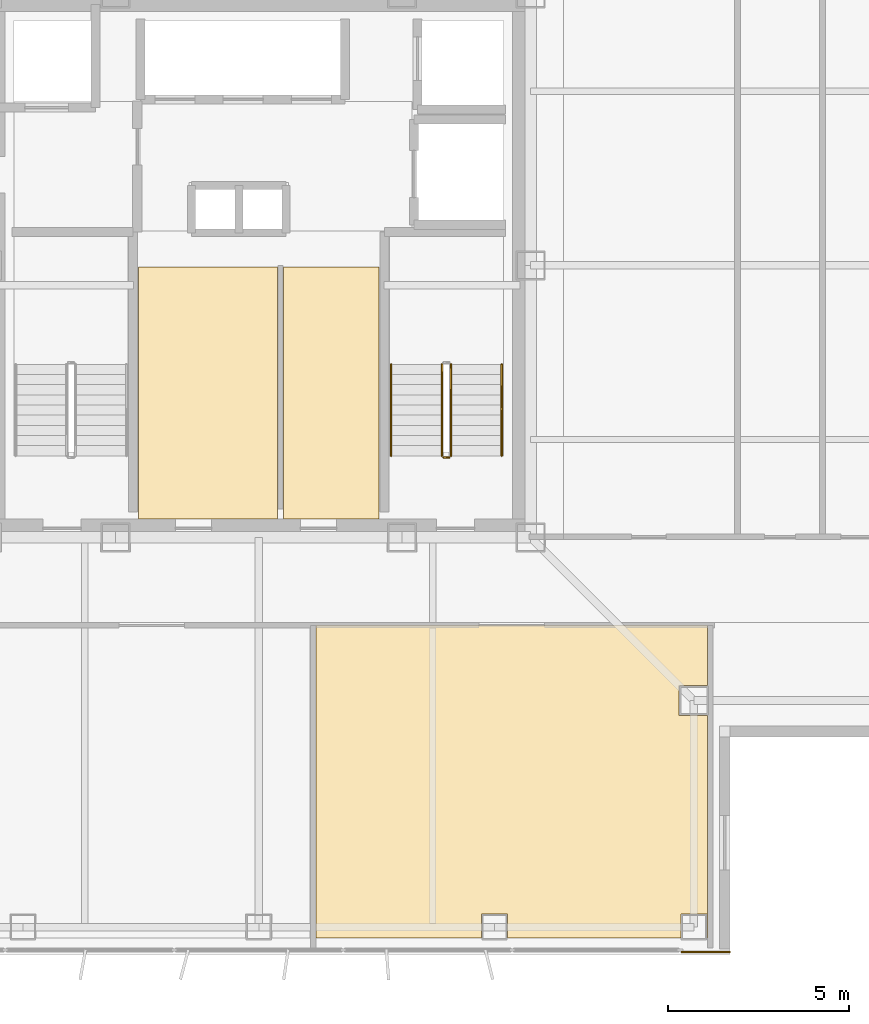
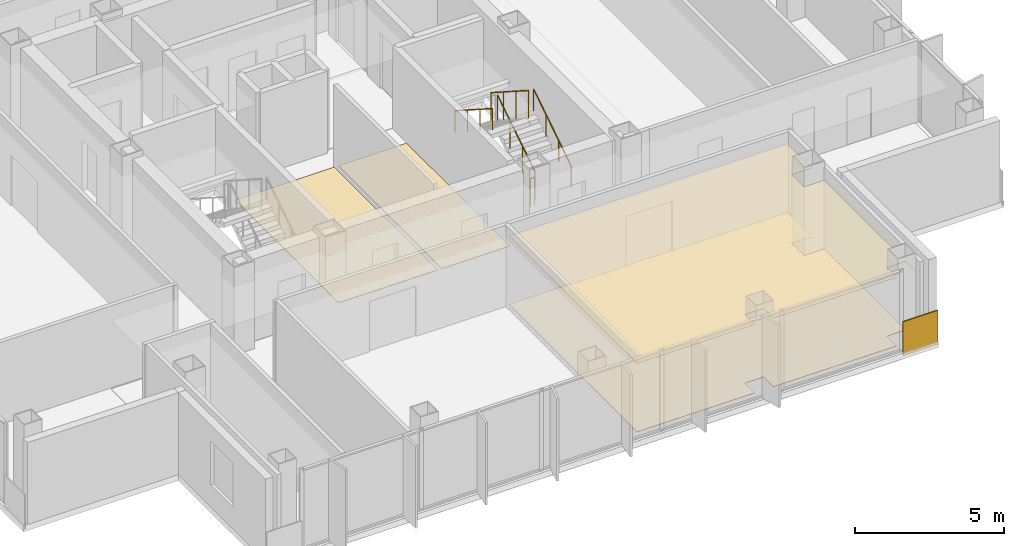
# One storey, part 11 of 15: 5 coverings, 5 railings.
"""IFC4 building model written with IfcOpenShell, lengths in metres."""

from ifc_helpers import new_model, si_unit, direction, frame, frame_2d, origin, origin_2d, place, context, subcontext, project, spatial, polyline, rectangle, circle, outline, extrude, material, layer, layer_set, type_object, element, save


model = new_model("IFC4")

# Units and contexts
model_context = context("Model", 3, precision=1e-05, world=origin(), true_north=direction((0.0, 1.0)))
body_context = subcontext(model_context, "Body", "Model", "MODEL_VIEW")
ifc_project = project(units=[si_unit("LENGTHUNIT", "METRE"), si_unit("AREAUNIT", "SQUARE_METRE"), si_unit("VOLUMEUNIT", "CUBIC_METRE"), si_unit("PLANEANGLEUNIT", "RADIAN"), si_unit("MASSUNIT", "GRAM", prefix="KILO")], contexts=[model_context])

# Site, building, storey
site_placement = place(None, origin())
site = spatial("IfcSite", under=ifc_project, at=site_placement, CompositionType="ELEMENT")
building_placement = place(site_placement, origin())
building = spatial("IfcBuilding", under=site, at=building_placement, Name="Trevonay Congress Spire", CompositionType="ELEMENT")
storey_placement = place(building_placement, frame((0.0, 0.0, 272.0)))
storey = spatial("IfcBuildingStorey", under=building, at=storey_placement, Name="L71", CompositionType="ELEMENT", Elevation=272.0)

# Coverings
ifc_material_1 = material(Name="Acoustic Mineral Fibre Board", Category="gypsum")
ifc_layer_1 = layer(ifc_material_1, 0.02490234375, Name="Acoustic Mineral Fibre Board")
ifc_layer_set_1 = layer_set([ifc_layer_1], Name="Acoustic Mineral Fibre Board")
covering_type_1 = type_object("IfcCoveringType", Name="COV-CEIL-ACOUSTIC", PredefinedType="CEILING", material=ifc_layer_set_1)
covering_1_placement = place(storey_placement, frame((0.0, 0.0, 2.81005859375)))
element("IfcCovering", 1, at=covering_1_placement, inside=storey, type_object=covering_type_1, Name="L71 Sculpture Terrace Salon Lounge acoustic suspended ceiling", PredefinedType="CEILING", context=body_context, shape_type="SweptSolid", body=[
    extrude(outline(polyline([(1.580078125, -18.550048828125), (1.580078125, -9.929931640625), (12.3701171875, -9.929931640625), (12.3701171875, -11.590087890625), (11.590087890625, -11.590087890625), (11.590087890625, -12.409912109375), (12.3701171875, -12.409912109375), (12.3701171875, -18.550048828125), (12.360107421875, -18.550048828125), (12.360107421875, -17.889892578125), (11.639892578125, -17.889892578125), (11.639892578125, -18.550048828125), (6.860107421875, -18.550048828125), (6.860107421875, -17.889892578125), (6.139892578125, -17.889892578125), (6.139892578125, -18.550048828125), (1.580078125, -18.550048828125)])), origin(), (0.0, 0.0, 1.0), 0.02490234375),
])
ifc_material_2 = material(Name="Polished Granite Floor Tile", Category="masonry")
ifc_layer_2 = layer(ifc_material_2, 0.02001953125, Name="Polished Granite Floor Tile")
ifc_layer_set_2 = layer_set([ifc_layer_2], Name="Polished Granite Floor Tile")
covering_type_2 = type_object("IfcCoveringType", Name="COV-FLOOR-STONE", PredefinedType="FLOORING", material=ifc_layer_set_2)
covering_2_placement = place(storey_placement, origin())
element("IfcCovering", 2, at=covering_2_placement, inside=storey, type_object=covering_type_2, Name="L71 Core Electrical Sub-Board Room floor finish", PredefinedType="FLOORING", context=body_context, shape_type="SweptSolid", body=[
    extrude(outline(polyline([(-3.320068359375, -7.0), (0.52001953125, -7.0), (0.52001953125, -0.050048828125), (-3.320068359375, -0.050048828125), (-3.320068359375, -7.0)])), origin(), (0.0, 0.0, 1.0), 0.02001953125),
])
covering_3_placement = place(storey_placement, origin())
element("IfcCovering", 3, at=covering_3_placement, inside=storey, type_object=covering_type_2, Name="L71 Cleaner and Housekeeping Store floor finish", PredefinedType="FLOORING", context=body_context, shape_type="SweptSolid", body=[
    extrude(outline(polyline([(0.679931640625, -7.0), (3.320068359375, -7.0), (3.320068359375, -0.050048828125), (0.679931640625, -0.050048828125), (0.679931640625, -7.0)])), origin(), (0.0, 0.0, 1.0), 0.02001953125),
])
ifc_material_3 = material(Name="Engineered Oak Flooring", Category="wood")
ifc_layer_3 = layer(ifc_material_3, 0.01806640625, Name="Engineered Oak Flooring")
ifc_layer_set_3 = layer_set([ifc_layer_3], Name="Engineered Oak Flooring")
covering_type_3 = type_object("IfcCoveringType", Name="COV-FLOOR-TIMBER", PredefinedType="FLOORING", material=ifc_layer_set_3)
covering_4_placement = place(storey_placement, origin())
element("IfcCovering", 4, at=covering_4_placement, inside=storey, type_object=covering_type_3, Name="L71 Sculpture Terrace Salon Lounge floor finish", PredefinedType="FLOORING", context=body_context, shape_type="SweptSolid", body=[
    extrude(outline(polyline([(1.580078125, -18.550048828125), (1.580078125, -9.929931640625), (12.3701171875, -9.929931640625), (12.3701171875, -11.590087890625), (11.590087890625, -11.590087890625), (11.590087890625, -12.409912109375), (12.3701171875, -12.409912109375), (12.3701171875, -18.550048828125), (12.360107421875, -18.550048828125), (12.360107421875, -17.889892578125), (11.639892578125, -17.889892578125), (11.639892578125, -18.550048828125), (6.860107421875, -18.550048828125), (6.860107421875, -17.889892578125), (6.139892578125, -17.889892578125), (6.139892578125, -18.550048828125), (1.580078125, -18.550048828125)])), origin(), (0.0, 0.0, 1.0), 0.01806640625),
])
ifc_material_4 = material(Name="Pale Anodised Aluminium EN AW-6063-T6", Category="aluminium")
ifc_layer_4 = layer(ifc_material_4, 0.0400390625, Name="Pale Anodised Aluminium EN AW-6063-T6")
ifc_layer_set_4 = layer_set([ifc_layer_4], Name="Pale Anodised Aluminium EN AW-6063-T6")
covering_type_4 = type_object("IfcCoveringType", Name="COV-SPANDREL-PALE-METAL", PredefinedType="CLADDING", material=ifc_layer_set_4)
covering_5_placement = place(storey_placement, frame((11.64990234375, -18.93994140625, -0.14990234375), z_axis=(0.0, 0.0, 1.0), x_axis=(1.0, 0.0, 0.0)))
element("IfcCovering", 5, at=covering_5_placement, inside=storey, type_object=covering_type_4, Name="L71 SE corner pier spandrel cladding 2", PredefinedType="CLADDING", context=body_context, shape_type="SweptSolid", body=[
    extrude(rectangle(XDim=1.35009765625, YDim=0.0400390625, at=frame_2d((0.675048828125, 0.0))), origin(), (0.0, 0.0, 1.0), 1.39990234375),
])

# Railings
railing_type_1 = type_object("IfcRailingType", Name="RAL-STAIR-GUARD-110", PredefinedType="GUARDRAIL", material=ifc_material_4)
railing_1_placement = place(storey_placement, frame((5.300048828125, -5.25, 0.179931640625)))
element("IfcRailing", 6, at=railing_1_placement, inside=storey, type_object=railing_type_1, Name="L71 ST-2 stair guard 1", PredefinedType="GUARDRAIL", context=body_context, shape_type="SweptSolid", body=[
    extrude(circle(Radius=0.02392578125, at=origin_2d()), frame((0.0, 0.0, 1.1259765625), z_axis=(0.0, 0.841162588446, 0.540782303519), x_axis=(-1.0, 0.0, 0.0)), (0.0, 0.0, 1.0), 2.995849609375),
    extrude(circle(Radius=0.02099609375, at=origin_2d()), origin(), (0.0, 0.0, 1.0), 1.101806640625),
    extrude(circle(Radius=0.02099609375, at=origin_2d()), frame((0.0, 0.840087890625, 0.5400390625)), (0.0, 0.0, 1.0), 1.101806640625),
    extrude(circle(Radius=0.02099609375, at=origin_2d()), frame((0.0, 1.679931640625, 1.080078125)), (0.0, 0.0, 1.0), 1.101806640625),
    extrude(circle(Radius=0.02099609375, at=origin_2d()), frame((0.0, 2.52001953125, 1.6201171875)), (0.0, 0.0, 1.0), 1.101806640625),
])
railing_2_placement = place(storey_placement, frame((5.050048828125, -2.72998046875, 1.97998046875)))
element("IfcRailing", 7, at=railing_2_placement, inside=storey, type_object=railing_type_1, Name="L71 ST-2 stair guard 3", PredefinedType="GUARDRAIL", context=body_context, shape_type="SweptSolid", body=[
    extrude(circle(Radius=0.02392578125, at=origin_2d()), frame((0.0, 0.0, 1.1259765625), z_axis=(0.0, -0.841162588446, 0.540782303519), x_axis=(1.0, 0.0, 0.0)), (0.0, 0.0, 1.0), 2.995849609375),
    extrude(circle(Radius=0.02099609375, at=origin_2d()), origin(), (0.0, 0.0, 1.0), 1.101806640625),
    extrude(circle(Radius=0.02099609375, at=origin_2d()), frame((0.0, -0.840087890625, 0.5400390625)), (0.0, 0.0, 1.0), 1.101806640625),
    extrude(circle(Radius=0.02099609375, at=origin_2d()), frame((0.0, -1.679931640625, 1.080078125)), (0.0, 0.0, 1.0), 1.101806640625),
    extrude(circle(Radius=0.02099609375, at=origin_2d()), frame((0.0, -2.52001953125, 1.6201171875)), (0.0, 0.0, 1.0), 1.101806640625),
])
railing_3_placement = place(storey_placement, frame((5.25, -5.300048828125, 0.0)))
element("IfcRailing", 8, at=railing_3_placement, inside=storey, type_object=railing_type_1, Name="L71 ST-2 stair guard 4", PredefinedType="GUARDRAIL", context=body_context, shape_type="SweptSolid", body=[
    extrude(circle(Radius=0.02392578125, at=origin_2d()), frame((0.0, 0.0, 1.1259765625), z_axis=(-1.0, 0.0, 0.0), x_axis=(0.0, -1.0, 0.0)), (0.0, 0.0, 1.0), 0.14990234375),
    extrude(circle(Radius=0.02099609375, at=origin_2d()), origin(), (0.0, 0.0, 1.0), 1.101806640625),
    extrude(circle(Radius=0.02099609375, at=origin_2d()), frame((-0.14990234375, 0.0, 0.0)), (0.0, 0.0, 1.0), 1.101806640625),
])
railing_type_2 = type_object("IfcRailingType", Name="RAL-STAIR-HANDRAIL", PredefinedType="HANDRAIL", material=ifc_material_4)
railing_4_placement = place(storey_placement, frame((6.699951171875, -5.25, 0.179931640625)))
element("IfcRailing", 9, at=railing_4_placement, inside=storey, type_object=railing_type_2, Name="L71 ST-2 stair handrail 1", PredefinedType="HANDRAIL", context=body_context, shape_type="SweptSolid", body=[
    extrude(circle(Radius=0.02392578125, at=origin_2d()), frame((0.0, 0.0, 0.8759765625), z_axis=(0.0, 0.841162588446, 0.540782303519), x_axis=(-1.0, 0.0, 0.0)), (0.0, 0.0, 1.0), 2.995849609375),
    extrude(circle(Radius=0.02099609375, at=origin_2d()), origin(), (0.0, 0.0, 1.0), 0.851806640625),
    extrude(circle(Radius=0.02099609375, at=origin_2d()), frame((0.0, 0.840087890625, 0.5400390625)), (0.0, 0.0, 1.0), 0.851806640625),
    extrude(circle(Radius=0.02099609375, at=origin_2d()), frame((0.0, 1.679931640625, 1.080078125)), (0.0, 0.0, 1.0), 0.851806640625),
    extrude(circle(Radius=0.02099609375, at=origin_2d()), frame((0.0, 2.52001953125, 1.6201171875)), (0.0, 0.0, 1.0), 0.851806640625),
])
railing_5_placement = place(storey_placement, frame((3.64990234375, -2.72998046875, 1.97998046875)))
element("IfcRailing", 10, at=railing_5_placement, inside=storey, type_object=railing_type_2, Name="L71 ST-2 stair handrail 2", PredefinedType="HANDRAIL", context=body_context, shape_type="SweptSolid", body=[
    extrude(circle(Radius=0.02392578125, at=origin_2d()), frame((0.0, 0.0, 0.8759765625), z_axis=(0.0, -0.841162588446, 0.540782303519), x_axis=(1.0, 0.0, 0.0)), (0.0, 0.0, 1.0), 2.995849609375),
    extrude(circle(Radius=0.02099609375, at=origin_2d()), origin(), (0.0, 0.0, 1.0), 0.851806640625),
    extrude(circle(Radius=0.02099609375, at=origin_2d()), frame((0.0, -0.840087890625, 0.5400390625)), (0.0, 0.0, 1.0), 0.851806640625),
    extrude(circle(Radius=0.02099609375, at=origin_2d()), frame((0.0, -1.679931640625, 1.080078125)), (0.0, 0.0, 1.0), 0.851806640625),
    extrude(circle(Radius=0.02099609375, at=origin_2d()), frame((0.0, -2.52001953125, 1.6201171875)), (0.0, 0.0, 1.0), 0.851806640625),
])

save(model, "model.ifc")
